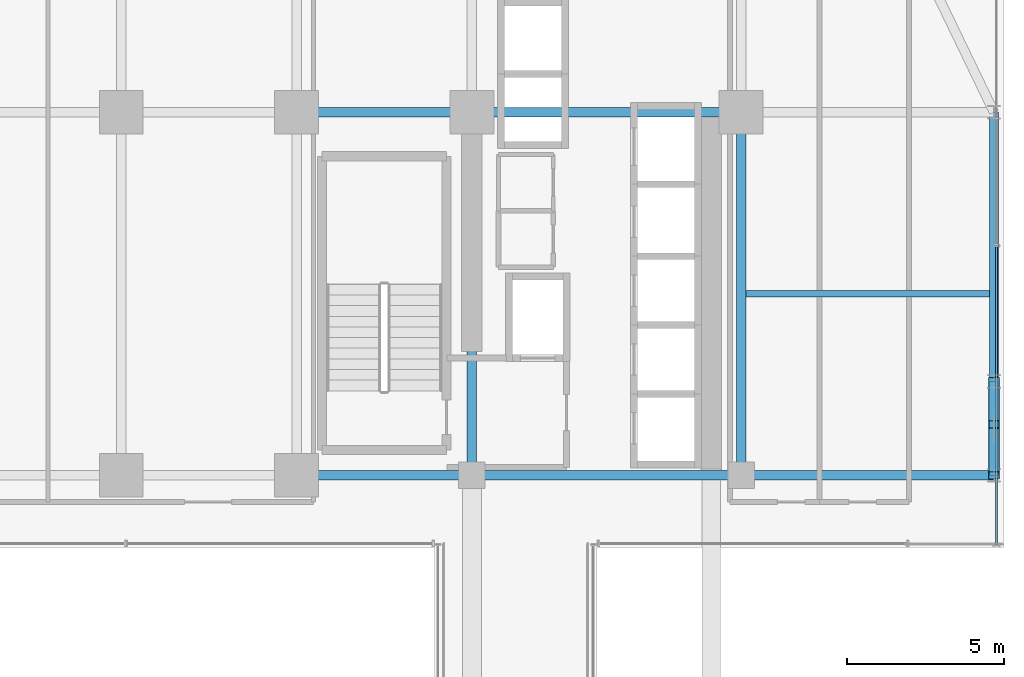
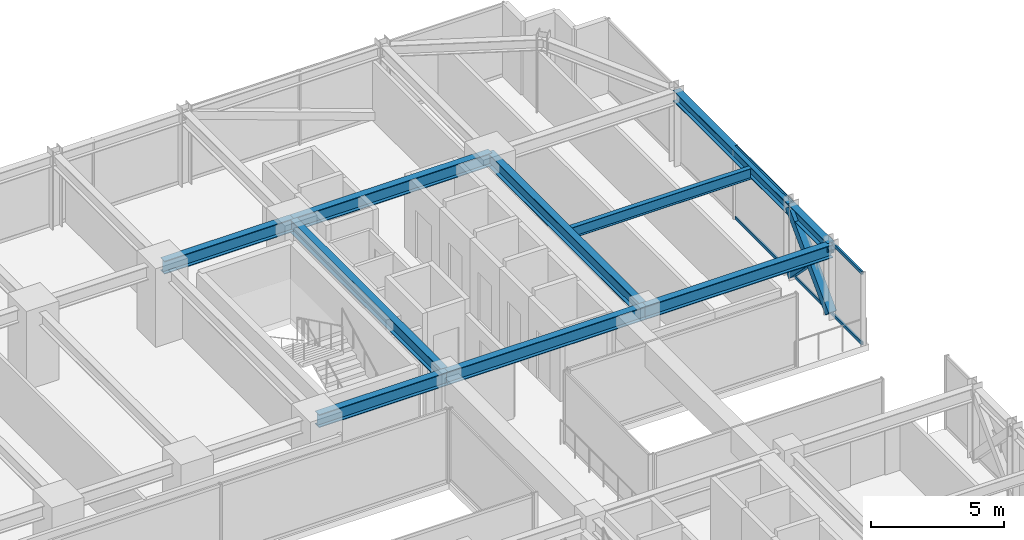
# One storey, part 26 of 38: 10 beams, 5 members, 1 element without a shape of its own.
"""IFC4 building model written with IfcOpenShell, lengths in metres."""

from ifc_helpers import new_model, si_unit, direction, frame, origin, origin_2d, place, context, subcontext, project, spatial, hollow_rectangle, i_section, extrude, source, transform, mapped, material, material_profile, profile_set, type_object, element, aggregate, save


model = new_model("IFC4")

# Units and contexts
model_context = context("Model", 3, precision=1e-05, world=origin(), true_north=direction((0.0, 1.0)))
body_context = subcontext(model_context, "Body", "Model", "MODEL_VIEW")
ifc_project = project(units=[si_unit("LENGTHUNIT", "METRE"), si_unit("AREAUNIT", "SQUARE_METRE"), si_unit("VOLUMEUNIT", "CUBIC_METRE"), si_unit("PLANEANGLEUNIT", "RADIAN"), si_unit("MASSUNIT", "GRAM", prefix="KILO")], contexts=[model_context])

# Site, building, storey
site_placement = place(None, origin())
site = spatial("IfcSite", under=ifc_project, at=site_placement, CompositionType="ELEMENT")
building_placement = place(site_placement, origin())
building = spatial("IfcBuilding", under=site, at=building_placement, Name="Nahalor Promenade Grand Hotel", CompositionType="ELEMENT")
storey_placement = place(building_placement, frame((0.0, 0.0, 50.64990234375)))
storey = spatial("IfcBuildingStorey", under=building, at=storey_placement, Name="L11", CompositionType="ELEMENT", Elevation=50.64990234375)

# Beams
ifc_material_1 = material(Name="Steel S355JR", Category="steel")
ifc_material_profile_1 = material_profile(ifc_material_1, i_section(OverallWidth=0.3, OverallDepth=0.6, WebThickness=0.0155, FlangeThickness=0.03, at=origin_2d()), Name="HEB 600")
ifc_profile_set_1 = profile_set([ifc_material_profile_1], Name="Steel S355JR")
beam_type_1 = type_object("IfcBeamType", Name="Beam-Girder-HEB600", PredefinedType="BEAM", material=ifc_profile_set_1)
shared_shape_1 = source(origin(), body_context, "Body", "SweptSolid", [
    extrude(i_section(OverallWidth=0.3, OverallDepth=0.6, WebThickness=0.0155, FlangeThickness=0.03, at=origin_2d()), origin(), (0.0, 0.0, 1.0), 8.60009765625),
])
for number, where, z_axis, x_axis, name in (
    (1, (8.39990234375, 5.39990234375, 3.070068359375), (1.0, 0.0, 0.0), (0.0, 1.0, 0.0), "BM-L11-GX-2-5"),
    (2, (8.39990234375, 17.0, 3.070068359375), (1.0, 0.0, 0.0), (0.0, 1.0, 0.0), "BM-L11-GX-3-5"),
):
    element("IfcBeam", number, at=place(storey_placement, frame(where, z_axis=z_axis, x_axis=x_axis)), inside=storey, type_object=beam_type_1, Name=name, PredefinedType="BEAM", context=body_context, shape_type="MappedRepresentation", body=[
        mapped(shared_shape_1, transform((0.0, 0.0, 0.0), scale=1.0)),
    ])
shared_shape_2 = source(origin(), body_context, "Body", "SweptSolid", [
    extrude(i_section(OverallWidth=0.3, OverallDepth=0.6, WebThickness=0.0155, FlangeThickness=0.03, at=origin_2d()), origin(), (0.0, 0.0, 1.0), 5.599853515625),
])
for number, where, z_axis, x_axis, name in (
    (3, (2.800048828125, 5.39990234375, 3.070068359375), (1.0, 0.0, 0.0), (0.0, 1.0, 0.0), "BM-L11-GX-2-4"),
    (4, (2.800048828125, 17.0, 3.070068359375), (1.0, 0.0, 0.0), (0.0, 1.0, 0.0), "BM-L11-GX-3-4"),
):
    element("IfcBeam", number, at=place(storey_placement, frame(where, z_axis=z_axis, x_axis=x_axis)), inside=storey, type_object=beam_type_1, Name=name, PredefinedType="BEAM", context=body_context, shape_type="MappedRepresentation", body=[
        mapped(shared_shape_2, transform((0.0, 0.0, 0.0), scale=1.0)),
    ])
shared_shape_3 = source(origin(), body_context, "Body", "SweptSolid", [
    extrude(i_section(OverallWidth=0.3, OverallDepth=0.6, WebThickness=0.0155, FlangeThickness=0.03, at=origin_2d()), origin(), (0.0, 0.0, 1.0), 11.60009765625),
])
for number, where, z_axis, x_axis, name in (
    (5, (8.39990234375, 5.39990234375, 3.070068359375), (0.0, 1.0, 0.0), (-1.0, 0.0, 0.0), "BM-L11-GY-4-3"),
    (6, (17.0, 5.39990234375, 3.070068359375), (0.0, 1.0, 0.0), (-1.0, 0.0, 0.0), "BM-L11-GY-5-3"),
):
    element("IfcBeam", number, at=place(storey_placement, frame(where, z_axis=z_axis, x_axis=x_axis)), inside=storey, type_object=beam_type_1, Name=name, PredefinedType="BEAM", context=body_context, shape_type="MappedRepresentation", body=[
        mapped(shared_shape_3, transform((0.0, 0.0, 0.0), scale=1.0)),
    ])
ifc_material_profile_2 = material_profile(ifc_material_1, i_section(OverallWidth=0.3, OverallDepth=0.5, WebThickness=0.0145, FlangeThickness=0.028, at=origin_2d()), Name="HEB 500")
ifc_profile_set_2 = profile_set([ifc_material_profile_2], Name="Steel S355JR")
beam_type_2 = type_object("IfcBeamType", Name="Beam-Spandrel-HEB500", PredefinedType="SPANDREL", material=ifc_profile_set_2)
shared_shape_4 = source(origin(), body_context, "Body", "SweptSolid", [
    extrude(i_section(OverallWidth=0.3, OverallDepth=0.5, WebThickness=0.0145, FlangeThickness=0.028, at=origin_2d()), origin(), (0.0, 0.0, 1.0), 8.60009765625),
])
beam_1_placement = place(storey_placement, frame((25.080078125, 8.39990234375, 3.1201171875), z_axis=(0.0, 1.0, 0.0), x_axis=(-1.0, 0.0, 0.0)))
element("IfcBeam", 7, at=beam_1_placement, inside=storey, type_object=beam_type_2, Name="BM-L11-SP-E-4", PredefinedType="SPANDREL", context=body_context, shape_type="MappedRepresentation", body=[
    mapped(shared_shape_4, transform((0.0, 0.0, 0.0), scale=1.0)),
])
shared_shape_5 = source(origin(), body_context, "Body", "SweptSolid", [
    extrude(i_section(OverallWidth=0.3, OverallDepth=0.5, WebThickness=0.0145, FlangeThickness=0.028, at=origin_2d()), origin(), (0.0, 0.0, 1.0), 3.0),
])
beam_2_placement = place(storey_placement, frame((25.080078125, 5.39990234375, 3.1201171875), z_axis=(0.0, 1.0, 0.0), x_axis=(-1.0, 0.0, 0.0)))
element("IfcBeam", 8, at=beam_2_placement, inside=storey, type_object=beam_type_2, Name="BM-L11-SP-E-3", PredefinedType="SPANDREL", context=body_context, shape_type="MappedRepresentation", body=[
    mapped(shared_shape_5, transform((0.0, 0.0, 0.0), scale=1.0)),
])
shared_shape_6 = source(origin(), body_context, "Body", "SweptSolid", [
    extrude(i_section(OverallWidth=0.3, OverallDepth=0.6, WebThickness=0.0155, FlangeThickness=0.03, at=origin_2d()), origin(), (0.0, 0.0, 1.0), 8.080078125),
])
beam_3_placement = place(storey_placement, frame((17.0, 5.39990234375, 3.070068359375), z_axis=(1.0, 0.0, 0.0), x_axis=(0.0, 1.0, 0.0)))
element("IfcBeam", 9, at=beam_3_placement, inside=storey, type_object=beam_type_1, Name="BM-L11-GX-2-6", PredefinedType="BEAM", context=body_context, shape_type="MappedRepresentation", body=[
    mapped(shared_shape_6, transform((0.0, 0.0, 0.0), scale=1.0)),
])
ifc_material_profile_3 = material_profile(ifc_material_1, i_section(OverallWidth=0.2, OverallDepth=0.5, WebThickness=0.0102, FlangeThickness=0.016, at=origin_2d()), Name="IPE 500")
ifc_profile_set_3 = profile_set([ifc_material_profile_3], Name="Steel S355JR")
beam_type_3 = type_object("IfcBeamType", Name="Beam-Joist-IPE500", PredefinedType="JOIST", material=ifc_profile_set_3)
shared_shape_7 = source(origin(), body_context, "Body", "SweptSolid", [
    extrude(i_section(OverallWidth=0.2, OverallDepth=0.5, WebThickness=0.0102, FlangeThickness=0.016, at=origin_2d()), origin(), (0.0, 0.0, 1.0), 7.780029296875),
])
beam_4_placement = place(storey_placement, frame((17.14990234375, 11.199951171875, 3.1201171875), z_axis=(1.0, 0.0, 0.0), x_axis=(0.0, 1.0, 0.0)))
element("IfcBeam", 10, at=beam_4_placement, inside=storey, type_object=beam_type_3, Name="BM-L11-JSE-1-2", PredefinedType="JOIST", context=body_context, shape_type="MappedRepresentation", body=[
    mapped(shared_shape_7, transform((0.0, 0.0, 0.0), scale=1.0)),
])

# Members
ifc_material_profile_4 = material_profile(ifc_material_1, hollow_rectangle(XDim=0.35, YDim=0.35, WallThickness=0.02, at=origin_2d()), Name="SHS 350x350x20")
ifc_profile_set_4 = profile_set([ifc_material_profile_4], Name="Steel S355JR")
member_type_1 = type_object("IfcMemberType", Name="Mem-VoidBrace-SHS350", PredefinedType="BRACE", material=ifc_profile_set_4)
shared_shape_8 = source(origin(), body_context, "Body", "SweptSolid", [
    extrude(hollow_rectangle(XDim=0.35, YDim=0.35, WallThickness=0.02, at=origin_2d()), origin(), (0.0, 0.0, 1.0), 4.29248046875),
])
member_1_placement = place(storey_placement, frame((25.080078125, 5.39990234375, 0.150146484375), z_axis=(0.0, 0.698897904453, 0.715221447631), x_axis=(-1.0, 0.0, 0.0)))
element("IfcMember", 11, at=member_1_placement, inside=storey, type_object=member_type_1, Name="EXO-L11-VX1-E1", PredefinedType="BRACE", context=body_context, shape_type="MappedRepresentation", body=[
    mapped(shared_shape_8, transform((0.0, 0.0, 0.0), scale=1.0)),
])
shared_shape_9 = source(origin(), body_context, "Body", "SweptSolid", [
    extrude(hollow_rectangle(XDim=0.35, YDim=0.35, WallThickness=0.02, at=origin_2d()), origin(), (0.0, 0.0, 1.0), 1.959228515625),
])
member_2_placement = place(storey_placement, frame((25.080078125, 6.769287109375, 1.81884765625), z_axis=(0.0, -0.698898183234, 0.715221175212), x_axis=(1.0, 0.0, 0.0)))
element("IfcMember", 12, at=member_2_placement, inside=storey, type_object=member_type_1, Name="EXO-L11-VX2-E1B", PredefinedType="BRACE", context=body_context, shape_type="MappedRepresentation", body=[
    mapped(shared_shape_9, transform((0.0, 0.0, 0.0), scale=1.0)),
])
shared_shape_10 = source(origin(), body_context, "Body", "SweptSolid", [
    extrude(hollow_rectangle(XDim=0.35, YDim=0.35, WallThickness=0.02, at=origin_2d()), origin(), (0.0, 0.0, 1.0), 1.958984375),
])
member_3_placement = place(storey_placement, frame((25.080078125, 8.39990234375, 0.150146484375), z_axis=(0.0, -0.698896728293, 0.715222596946), x_axis=(1.0, 0.0, 0.0)))
element("IfcMember", 13, at=member_3_placement, inside=storey, type_object=member_type_1, Name="EXO-L11-VX2-E1A", PredefinedType="BRACE", context=body_context, shape_type="MappedRepresentation", body=[
    mapped(shared_shape_10, transform((0.0, 0.0, 0.0), scale=1.0)),
])

# Curtain wall, members
ifc_material_2 = material(Name="Anodised Bronze Aluminium EN AW-6063 T6", Category="aluminium")
curtain_wall_type = type_object("IfcCurtainWallType", Name="CW3 Elliptical-Void Collar Unitised Curtain Wall", PredefinedType="USERDEFINED", material=ifc_material_2)
curtain_wall_placement = place(storey_placement, origin())
curtain_wall = element("IfcCurtainWall", 14, at=curtain_wall_placement, inside=storey, type_object=curtain_wall_type, Name="L11 Curtain Wall CW-L11-E-2", ObjectType="UNITISED_CURTAIN_WALL", PredefinedType="USERDEFINED")
ifc_material_profile_5 = material_profile(ifc_material_2, hollow_rectangle(XDim=0.07, YDim=0.14, WallThickness=0.004, at=origin_2d()), Name="CWT 70x140x4")
ifc_profile_set_5 = profile_set([ifc_material_profile_5], Name="Anodised Bronze Aluminium EN AW-6063 T6")
member_type_2 = type_object("IfcMemberType", Name="CWT3 Void Collar Transom 70x140", PredefinedType="USERDEFINED", material=ifc_profile_set_5)
shared_shape_11 = source(origin(), body_context, "Body", "SweptSolid", [
    extrude(hollow_rectangle(XDim=0.07, YDim=0.14, WallThickness=0.004, at=origin_2d()), origin(), (0.0, 0.0, 1.0), 9.525146484375),
])
member_4_placement = place(storey_placement, frame((25.159912109375, 3.169921875, 0.070068359375), z_axis=(0.0, 1.0, 0.0), x_axis=(-1.0, 0.0, 0.0)))
member_4 = element("IfcMember", 15, at=member_4_placement, type_object=member_type_2, Name="CW-L11-E-2 Transom 0-0", ObjectType="TRANSOM", PredefinedType="USERDEFINED", context=body_context, shape_type="MappedRepresentation", body=[
    mapped(shared_shape_11, transform((0.0, 0.0, 0.0), scale=1.0)),
])
member_5_placement = place(storey_placement, frame((25.159912109375, 3.169921875, 3.300048828125), z_axis=(0.0, 1.0, 0.0), x_axis=(-1.0, 0.0, 0.0)))
member_5 = element("IfcMember", 16, at=member_5_placement, type_object=member_type_2, Name="CW-L11-E-2 Transom 0-1", ObjectType="TRANSOM", PredefinedType="USERDEFINED", context=body_context, shape_type="MappedRepresentation", body=[
    mapped(shared_shape_11, transform((0.0, 0.0, 0.0), scale=1.0)),
])
aggregate(curtain_wall, [member_4, member_5])

save(model, "model.ifc")
